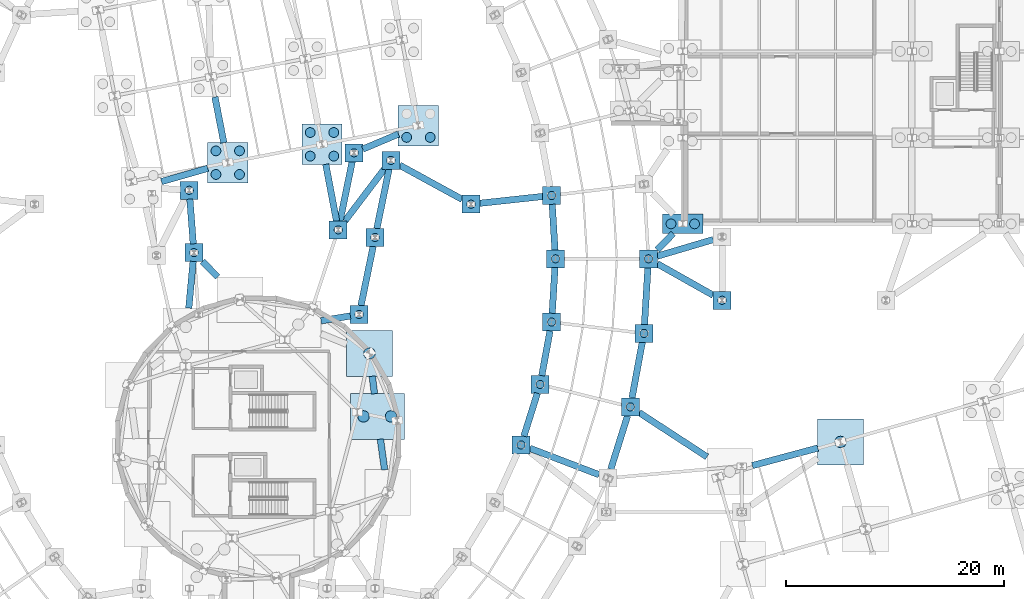
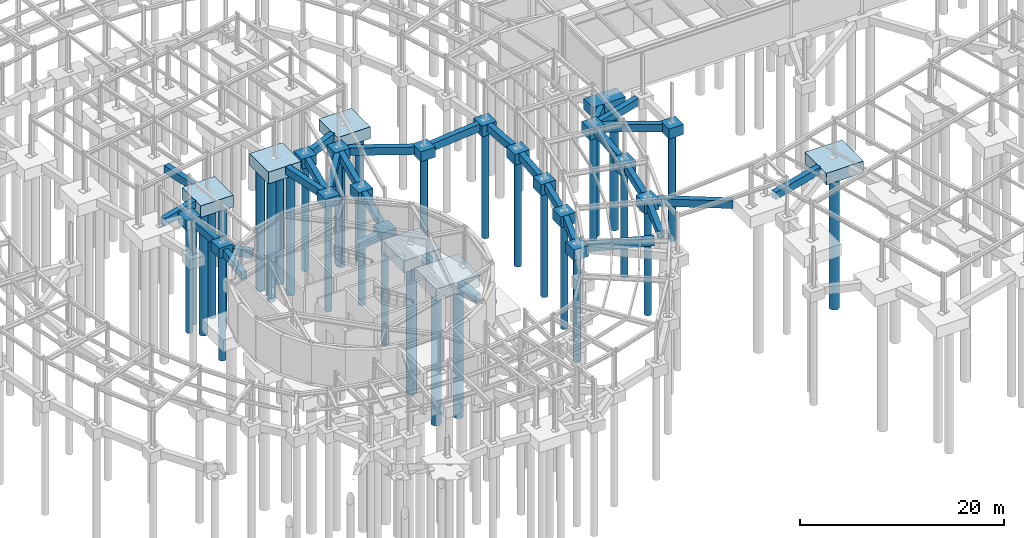
# One storey, part 5 of 50: 53 footings, 33 piles.
"""IFC4 building model written with IfcOpenShell, lengths in metres."""

from ifc_helpers import new_model, si_unit, direction, frame, origin, origin_2d, place, context, subcontext, project, spatial, rectangle, circle, extrude, material, material_profile, profile_set, type_object, element, save


model = new_model("IFC4")

# Units and contexts
model_context = context("Model", 3, precision=1e-05, world=origin(), true_north=direction((0.0, 1.0)))
body_context = subcontext(model_context, "Body", "Model", "MODEL_VIEW")
ifc_project = project(units=[si_unit("LENGTHUNIT", "METRE"), si_unit("AREAUNIT", "SQUARE_METRE"), si_unit("VOLUMEUNIT", "CUBIC_METRE"), si_unit("PLANEANGLEUNIT", "RADIAN"), si_unit("MASSUNIT", "GRAM", prefix="KILO")], contexts=[model_context])

# Site, building, storey
site_placement = place(None, origin())
site = spatial("IfcSite", under=ifc_project, at=site_placement, CompositionType="ELEMENT")
building_placement = place(site_placement, origin())
building = spatial("IfcBuilding", under=site, at=building_placement, Name="Varnklinge Art Gallery", CompositionType="ELEMENT")
storey_placement = place(building_placement, frame((0.0, 0.0, -4.800048828125)))
storey = spatial("IfcBuildingStorey", under=building, at=storey_placement, Name="B01", CompositionType="ELEMENT", Elevation=-4.800048828125)

# Footings
ifc_material_1 = material(Name="Concrete C35/45", Category="concrete")
footing_type_1 = type_object("IfcFootingType", Name="FB-11", PredefinedType="FOOTING_BEAM", material=ifc_material_1)
footing_1_placement = place(storey_placement, frame((103.568603515625, 36.424072265625, -0.89990234375), z_axis=(0.0, 0.0, 1.0), x_axis=(-0.934017558691, 0.357227098715, 0.0)))
element("IfcFooting", 1, at=footing_1_placement, inside=storey, type_object=footing_type_1, Name="B01 Ground Tie Beam FBM-093", PredefinedType="FOOTING_BEAM", context=body_context, shape_type="SweptSolid", body=[
    extrude(rectangle(XDim=6.793212890625, YDim=0.60009765625, at=origin_2d()), origin(), (0.0, 0.0, 1.0), 0.89990234375),
])
ifc_material_2 = material(Name="Concrete C35/45", Category="concrete")
footing_type_2 = type_object("IfcFootingType", Name="FB-14", PredefinedType="FOOTING_BEAM", material=ifc_material_2)
footing_2_placement = place(storey_placement, frame((100.4619140625, 40.716552734375, -0.89990234375), z_axis=(0.0, 0.0, 1.0), x_axis=(0.299873410064, 0.953979002881, 0.0)))
element("IfcFooting", 2, at=footing_2_placement, inside=storey, type_object=footing_type_2, Name="B01 Ground Tie Beam FBM-099", PredefinedType="FOOTING_BEAM", context=body_context, shape_type="SweptSolid", body=[
    extrude(rectangle(XDim=4.122802734375, YDim=0.60009765625, at=origin_2d()), origin(), (0.0, 0.0, 1.0), 0.89990234375),
])
footing_3_placement = place(storey_placement, frame((101.860595703125, 46.344482421875, -0.89990234375), z_axis=(0.0, 0.0, 1.0), x_axis=(0.181549039717, 0.983381892338, 0.0)))
element("IfcFooting", 3, at=footing_3_placement, inside=storey, type_object=footing_type_2, Name="B01 Ground Tie Beam FBM-113", PredefinedType="FOOTING_BEAM", context=body_context, shape_type="SweptSolid", body=[
    extrude(rectangle(XDim=4.17236328125, YDim=0.60009765625, at=origin_2d()), origin(), (0.0, 0.0, 1.0), 0.89990234375),
])
footing_4_placement = place(storey_placement, frame((69.339111328125, 52.618896484375, -1.199951171875), z_axis=(0.0, 0.0, 1.0), x_axis=(0.092544372783, 0.99570856131, 0.0)))
element("IfcFooting", 4, at=footing_4_placement, inside=storey, type_object=footing_type_2, Name="B01 Ground Tie Beam FBM-120", PredefinedType="FOOTING_BEAM", context=body_context, shape_type="SweptSolid", body=[
    extrude(rectangle(XDim=4.298583984375, YDim=0.60009765625, at=origin_2d()), origin(), (0.0, 0.0, 1.0), 0.89990234375),
])
for number, where, z_axis, x_axis, name in (
    (5, (102.56494140625, 52.1005859375, -0.89990234375), (0.0, 0.0, 1.0), (0.06087433122, 0.9981454382, 0.0), "B01 Ground Tie Beam FBM-122"),
    (6, (102.56494140625, 57.8994140625, -0.89990234375), (0.0, 0.0, 1.0), (-0.06087433122, 0.9981454382, 0.0), "B01 Ground Tie Beam FBM-134"),
):
    element("IfcFooting", number, at=place(storey_placement, frame(where, z_axis=z_axis, x_axis=x_axis)), inside=storey, type_object=footing_type_2, Name=name, PredefinedType="FOOTING_BEAM", context=body_context, shape_type="SweptSolid", body=[
        extrude(rectangle(XDim=4.19677734375, YDim=0.60009765625, at=origin_2d()), origin(), (0.0, 0.0, 1.0), 0.89990234375),
    ])
footing_5_placement = place(storey_placement, frame((69.3955078125, 58.41943359375, -0.89990234375), z_axis=(0.0, 0.0, 1.0), x_axis=(-0.075848906358, 0.997119322551, 0.0)))
element("IfcFooting", 7, at=footing_5_placement, inside=storey, type_object=footing_type_2, Name="B01 Ground Tie Beam FBM-138", PredefinedType="FOOTING_BEAM", context=body_context, shape_type="SweptSolid", body=[
    extrude(rectangle(XDim=4.11279296875, YDim=0.60009765625, at=origin_2d()), origin(), (0.0, 0.0, 1.0), 0.89990234375),
])
footing_6_placement = place(storey_placement, frame((71.944091796875, 67.7333984375, -0.89990234375), z_axis=(0.0, 0.0, 1.0), x_axis=(-0.190808995377, 0.981627183448, 0.0)))
element("IfcFooting", 8, at=footing_6_placement, inside=storey, type_object=footing_type_2, Name="B01 Ground Tie Beam FBM-160", PredefinedType="FOOTING_BEAM", context=body_context, shape_type="SweptSolid", body=[
    extrude(rectangle(XDim=4.271484375, YDim=0.60009765625, at=origin_2d()), origin(), (0.0, 0.0, 1.0), 0.89990234375),
])
ifc_material_3 = material(Name="Concrete C35/45", Category="concrete")
footing_type_3 = type_object("IfcFootingType", Name="FB-15", PredefinedType="FOOTING_BEAM", material=ifc_material_3)
footing_7_placement = place(storey_placement, frame((86.89111328125, 37.069091796875, -1.199951171875), z_axis=(0.0, 0.0, 1.0), x_axis=(-0.136753006543, 0.990605176244, 0.0)))
element("IfcFooting", 9, at=footing_7_placement, inside=storey, type_object=footing_type_3, Name="B01 Ground Tie Beam FBM-088", PredefinedType="FOOTING_BEAM", context=body_context, shape_type="SweptSolid", body=[
    extrude(rectangle(XDim=2.838623046875, YDim=0.60009765625, at=origin_2d()), origin(), (0.0, 0.0, 1.0), 0.89990234375),
])
footing_8_placement = place(storey_placement, frame((82.6005859375, 49.54248046875, -1.199951171875), z_axis=(0.0, 0.0, 1.0), x_axis=(-0.986600652338, -0.16315377043, 0.0)))
element("IfcFooting", 10, at=footing_8_placement, inside=storey, type_object=footing_type_3, Name="B01 Ground Tie Beam FBM-123", PredefinedType="FOOTING_BEAM", context=body_context, shape_type="SweptSolid", body=[
    extrude(rectangle(XDim=2.7275390625, YDim=0.60009765625, at=origin_2d()), origin(), (0.0, 0.0, 1.0), 0.89990234375),
])
ifc_material_4 = material(Name="Concrete C35/45", Category="concrete")
footing_type_4 = type_object("IfcFootingType", Name="FB-16", PredefinedType="FOOTING_BEAM", material=ifc_material_4)
footing_9_placement = place(storey_placement, frame((68.757568359375, 62.679443359375, -0.89990234375), z_axis=(0.0, 0.0, 1.0), x_axis=(-0.961597733011, -0.274462747688, 0.0)))
element("IfcFooting", 11, at=footing_9_placement, inside=storey, type_object=footing_type_4, Name="B01 Ground Tie Beam FBM-161", PredefinedType="FOOTING_BEAM", context=body_context, shape_type="SweptSolid", body=[
    extrude(rectangle(XDim=4.408447265625, YDim=0.60009765625, at=origin_2d()), origin(), (0.0, 0.0, 1.0), 0.89990234375),
])
ifc_material_5 = material(Name="Concrete C35/45", Category="concrete")
footing_type_5 = type_object("IfcFootingType", Name="FB-17", PredefinedType="FOOTING_BEAM", material=ifc_material_5)
footing_10_placement = place(storey_placement, frame((114.62939453125, 53.099609375, -0.89990234375), z_axis=(0.0, 0.0, 1.0), x_axis=(-0.871128118983, 0.491055801632, 0.0)))
element("IfcFooting", 12, at=footing_10_placement, inside=storey, type_object=footing_type_5, Name="B01 Ground Tie Beam FBM-267", PredefinedType="FOOTING_BEAM", context=body_context, shape_type="SweptSolid", body=[
    extrude(rectangle(XDim=5.889892578125, YDim=0.60009765625, at=origin_2d()), origin(), (0.0, 0.0, 1.0), 0.89990234375),
])
footing_11_placement = place(storey_placement, frame((98.694091796875, 60.3994140625, -0.89990234375), z_axis=(0.0, 0.0, 1.0), x_axis=(0.994207376024, 0.107478804698, 0.0)))
element("IfcFooting", 13, at=footing_11_placement, inside=storey, type_object=footing_type_5, Name="B01 Ground Tie Beam FBM-274", PredefinedType="FOOTING_BEAM", context=body_context, shape_type="SweptSolid", body=[
    extrude(rectangle(XDim=5.811767578125, YDim=0.60009765625, at=origin_2d()), origin(), (0.0, 0.0, 1.0), 0.89990234375),
])
ifc_material_6 = material(Name="Concrete C35/45", Category="concrete")
footing_type_6 = type_object("IfcFootingType", Name="FB-20", PredefinedType="FOOTING_BEAM", material=ifc_material_6)
footing_12_placement = place(storey_placement, frame((71.097412109375, 54.03955078125, -1.199951171875), z_axis=(0.0, 0.0, 1.0), x_axis=(-0.697540380788, 0.7165454746, 0.0)))
element("IfcFooting", 14, at=footing_12_placement, inside=storey, type_object=footing_type_6, Name="B01 Ground Tie Beam FBM-129", PredefinedType="FOOTING_BEAM", context=body_context, shape_type="SweptSolid", body=[
    extrude(rectangle(XDim=2.00830078125, YDim=0.60009765625, at=origin_2d()), origin(), (0.0, 0.0, 1.0), 0.89990234375),
])
ifc_material_7 = material(Name="Concrete C35/45", Category="concrete")
footing_type_7 = type_object("IfcFootingType", Name="FB-22", PredefinedType="FOOTING_BEAM", material=ifc_material_7)
footing_13_placement = place(storey_placement, frame((108.572021484375, 38.16845703125, -0.89990234375), z_axis=(0.0, 0.0, 1.0), x_axis=(0.299706904751, 0.954031326134, 0.0)))
element("IfcFooting", 15, at=footing_13_placement, inside=storey, type_object=footing_type_7, Name="B01 Ground Tie Beam FBM-092", PredefinedType="FOOTING_BEAM", context=body_context, shape_type="SweptSolid", body=[
    extrude(rectangle(XDim=5.158203125, YDim=0.60009765625, at=origin_2d()), origin(), (0.0, 0.0, 1.0), 0.89990234375),
])
footing_14_placement = place(storey_placement, frame((110.219970703125, 44.800048828125, -0.89990234375), z_axis=(0.0, 0.0, 1.0), x_axis=(0.18172066947, 0.983350191075, 0.0)))
element("IfcFooting", 16, at=footing_14_placement, inside=storey, type_object=footing_type_7, Name="B01 Ground Tie Beam FBM-107", PredefinedType="FOOTING_BEAM", context=body_context, shape_type="SweptSolid", body=[
    extrude(rectangle(XDim=5.208740234375, YDim=0.60009765625, at=origin_2d()), origin(), (0.0, 0.0, 1.0), 0.89990234375),
])
footing_15_placement = place(storey_placement, frame((111.050048828125, 51.58349609375, -0.89990234375), z_axis=(0.0, 0.0, 1.0), x_axis=(0.06070012105, 0.998156047572, 0.0)))
element("IfcFooting", 17, at=footing_15_placement, inside=storey, type_object=footing_type_7, Name="B01 Ground Tie Beam FBM-119", PredefinedType="FOOTING_BEAM", context=body_context, shape_type="SweptSolid", body=[
    extrude(rectangle(XDim=5.232666015625, YDim=0.60009765625, at=origin_2d()), origin(), (0.0, 0.0, 1.0), 0.89990234375),
])
footing_16_placement = place(storey_placement, frame((82.1845703125, 61.055908203125, -0.89990234375), z_axis=(0.0, 0.0, 1.0), x_axis=(-0.186009600639, 0.982547926806, 0.0)))
element("IfcFooting", 18, at=footing_16_placement, inside=storey, type_object=footing_type_7, Name="B01 Ground Tie Beam FBM-142", PredefinedType="FOOTING_BEAM", context=body_context, shape_type="SweptSolid", body=[
    extrude(rectangle(XDim=5.294189453125, YDim=0.60009765625, at=origin_2d()), origin(), (0.0, 0.0, 1.0), 0.89990234375),
])
ifc_material_8 = material(Name="Concrete C35/45", Category="concrete")
footing_type_8 = type_object("IfcFootingType", Name="FB-24", PredefinedType="FOOTING_BEAM", material=ifc_material_8)
footing_17_placement = place(storey_placement, frame((86.052490234375, 43.43896484375, -1.199951171875), z_axis=(0.0, 0.0, 1.0), x_axis=(-0.123081876034, 0.992396519438, 0.0)))
element("IfcFooting", 19, at=footing_17_placement, inside=storey, type_object=footing_type_8, Name="B01 Ground Tie Beam FBM-104", PredefinedType="FOOTING_BEAM", context=body_context, shape_type="SweptSolid", body=[
    extrude(rectangle(XDim=1.620361328125, YDim=0.60009765625, at=origin_2d()), origin(), (0.0, 0.0, 1.0), 0.89990234375),
])
ifc_material_9 = material(Name="Concrete C35/45", Category="concrete")
footing_type_9 = type_object("IfcFootingType", Name="FB-29", PredefinedType="FOOTING_BEAM", material=ifc_material_9)
footing_18_placement = place(storey_placement, frame((86.718017578125, 65.739013671875, -0.89990234375), z_axis=(0.0, 0.0, 1.0), x_axis=(0.920981534477, 0.389606228328, 0.0)))
element("IfcFooting", 20, at=footing_18_placement, inside=storey, type_object=footing_type_9, Name="B01 Ground Tie Beam FBM-163", PredefinedType="FOOTING_BEAM", context=body_context, shape_type="SweptSolid", body=[
    extrude(rectangle(XDim=3.544189453125, YDim=0.60009765625, at=origin_2d()), origin(), (0.0, 0.0, 1.0), 0.89990234375),
])
ifc_material_10 = material(Name="Concrete C35/45", Category="concrete")
footing_type_10 = type_object("IfcFootingType", Name="FB-32", PredefinedType="FOOTING_BEAM", material=ifc_material_10)
footing_19_placement = place(storey_placement, frame((112.792236328125, 56.5625, -0.89990234375), z_axis=(0.0, 0.0, 1.0), x_axis=(0.700660250228, 0.713495069184, 0.0)))
element("IfcFooting", 21, at=footing_19_placement, inside=storey, type_object=footing_type_10, Name="B01 Ground Tie Beam FBM-135", PredefinedType="FOOTING_BEAM", context=body_context, shape_type="SweptSolid", body=[
    extrude(rectangle(XDim=2.123291015625, YDim=0.60009765625, at=origin_2d()), origin(), (0.0, 0.0, 1.0), 0.89990234375),
])
ifc_material_11 = material(Name="Concrete C35/45", Category="concrete")
footing_type_11 = type_object("IfcFootingType", Name="FB-35", PredefinedType="FOOTING_BEAM", material=ifc_material_11)
footing_20_placement = place(storey_placement, frame((85.241455078125, 60.83203125, -0.89990234375), z_axis=(0.0, 0.0, 1.0), x_axis=(-0.604181969914, -0.796846376179, 0.0)))
element("IfcFooting", 22, at=footing_20_placement, inside=storey, type_object=footing_type_11, Name="B01 Ground Tie Beam FBM-162", PredefinedType="FOOTING_BEAM", context=body_context, shape_type="SweptSolid", body=[
    extrude(rectangle(XDim=5.9658203125, YDim=0.60009765625, at=origin_2d()), origin(), (0.0, 0.0, 1.0), 0.89990234375),
])
ifc_material_12 = material(Name="Concrete C35/45", Category="concrete")
footing_type_12 = type_object("IfcFootingType", Name="FB-36", PredefinedType="FOOTING_BEAM", material=ifc_material_12)
footing_21_placement = place(storey_placement, frame((123.778076171875, 36.857421875, -0.89990234375), z_axis=(0.0, 0.0, 1.0), x_axis=(0.965880639132, 0.25898762702, 0.0)))
element("IfcFooting", 23, at=footing_21_placement, inside=storey, type_object=footing_type_12, Name="B01 Ground Tie Beam FBM-094", PredefinedType="FOOTING_BEAM", context=body_context, shape_type="SweptSolid", body=[
    extrude(rectangle(XDim=6.201416015625, YDim=0.60009765625, at=origin_2d()), origin(), (0.0, 0.0, 1.0), 0.89990234375),
])
ifc_material_13 = material(Name="Concrete C35/45", Category="concrete")
footing_type_13 = type_object("IfcFootingType", Name="FB-37", PredefinedType="FOOTING_BEAM", material=ifc_material_13)
footing_22_placement = place(storey_placement, frame((113.512939453125, 38.881103515625, -0.89990234375), z_axis=(0.0, 0.0, 1.0), x_axis=(-0.837623391089, 0.546248162194, 0.0)))
element("IfcFooting", 24, at=footing_22_placement, inside=storey, type_object=footing_type_13, Name="B01 Ground Tie Beam FBM-095", PredefinedType="FOOTING_BEAM", context=body_context, shape_type="SweptSolid", body=[
    extrude(rectangle(XDim=7.425537109375, YDim=0.60009765625, at=origin_2d()), origin(), (0.0, 0.0, 1.0), 0.89990234375),
])
ifc_material_14 = material(Name="Concrete C35/45", Category="concrete")
footing_type_14 = type_object("IfcFootingType", Name="FB-40", PredefinedType="FOOTING_BEAM", material=ifc_material_14)
for number, where, z_axis, x_axis, name in (
    (25, (85.47705078125, 53.427001953125, -0.89990234375), (0.0, 0.0, 1.0), (0.201419845156, 0.979505000486, 0.0), "B01 Ground Tie Beam FBM-124"),
    (26, (86.928466796875, 60.485107421875, -0.89990234375), (0.0, 0.0, 1.0), (0.201419845156, 0.979505000486, 0.0), "B01 Ground Tie Beam FBM-139"),
    (27, (83.554931640625, 61.178955078125, -0.89990234375), (0.0, 0.0, 1.0), (0.201419845156, 0.979505000486, 0.0), "B01 Ground Tie Beam FBM-141"),
):
    element("IfcFooting", number, at=place(storey_placement, frame(where, z_axis=z_axis, x_axis=x_axis)), inside=storey, type_object=footing_type_14, Name=name, PredefinedType="FOOTING_BEAM", context=body_context, shape_type="SweptSolid", body=[
        extrude(rectangle(XDim=5.56201171875, YDim=0.60009765625, at=origin_2d()), origin(), (0.0, 0.0, 1.0), 0.89990234375),
    ])
ifc_material_15 = material(Name="Concrete C35/45", Category="concrete")
footing_type_15 = type_object("IfcFootingType", Name="FB-43", PredefinedType="FOOTING_BEAM", material=ifc_material_15)
footing_23_placement = place(storey_placement, frame((91.326904296875, 62.007080078125, -0.89990234375), z_axis=(0.0, 0.0, 1.0), x_axis=(-0.877564903719, 0.479457860256, 0.0)))
element("IfcFooting", 28, at=footing_23_placement, inside=storey, type_object=footing_type_15, Name="B01 Ground Tie Beam FBM-275", PredefinedType="FOOTING_BEAM", context=body_context, shape_type="SweptSolid", body=[
    extrude(rectangle(XDim=6.53662109375, YDim=0.60009765625, at=origin_2d()), origin(), (0.0, 0.0, 1.0), 0.89990234375),
])
ifc_material_16 = material(Name="Concrete C35/45", Category="concrete")
footing_type_16 = type_object("IfcFootingType", Name="FB-45", PredefinedType="FOOTING_BEAM", material=ifc_material_16)
footing_24_placement = place(storey_placement, frame((114.62939453125, 56.0, -0.89990234375), z_axis=(0.0, 0.0, 1.0), x_axis=(-0.958720536398, -0.28435001862, 0.0)))
element("IfcFooting", 29, at=footing_24_placement, inside=storey, type_object=footing_type_16, Name="B01 Ground Tie Beam FBM-271", PredefinedType="FOOTING_BEAM", context=body_context, shape_type="SweptSolid", body=[
    extrude(rectangle(XDim=5.35205078125, YDim=0.60009765625, at=origin_2d()), origin(), (0.0, 0.0, 1.0), 0.89990234375),
])
ifc_material_17 = material(Name="Concrete C35/45", Category="concrete")
footing_type_17 = type_object("IfcFootingType", Name="PC-01", PredefinedType="PILE_CAP", material=ifc_material_17)
for number, where, z_axis, x_axis, name in (
    (30, (99.591064453125, 37.945068359375, -1.2998046875), (0.0, 0.0, 1.0), (1.0, 0.0, 0.0), "B01 Pile Cap FCAP-074"),
    (31, (109.597900390625, 41.43408203125, -1.2998046875), (0.0, 0.0, 1.0), (1.0, 0.0, 0.0), "B01 Pile Cap FCAP-081"),
    (32, (101.3330078125, 43.488037109375, -1.2998046875), (0.0, 0.0, 1.0), (1.0, 0.0, 0.0), "B01 Pile Cap FCAP-086"),
):
    element("IfcFooting", number, at=place(storey_placement, frame(where, z_axis=z_axis, x_axis=x_axis)), inside=storey, type_object=footing_type_17, Name=name, PredefinedType="PILE_CAP", context=body_context, shape_type="SweptSolid", body=[
        extrude(rectangle(XDim=1.64990234375, YDim=1.64990234375, at=origin_2d()), origin(), (0.0, 0.0, 1.0), 1.300048828125),
    ])
footing_25_placement = place(storey_placement, frame((110.842041015625, 48.166015625, -1.2998046875), z_axis=(0.0, 0.0, 1.0), x_axis=(1.0, 0.0, 0.0)))
element("IfcFooting", 33, at=footing_25_placement, inside=storey, type_object=footing_type_17, Name="B01 Pile Cap FCAP-092", PredefinedType="PILE_CAP", context=body_context, shape_type="SweptSolid", body=[
    extrude(rectangle(XDim=1.64990234375, YDim=1.65087890625, at=origin_2d()), origin(), (0.0, 0.0, 1.0), 1.300048828125),
])
footing_26_placement = place(storey_placement, frame((102.387939453125, 49.200927734375, -1.2998046875), z_axis=(0.0, 0.0, 1.0), x_axis=(1.0, 0.0, 0.0)))
element("IfcFooting", 34, at=footing_26_placement, inside=storey, type_object=footing_type_17, Name="B01 Pile Cap FCAP-095", PredefinedType="PILE_CAP", context=body_context, shape_type="SweptSolid", body=[
    extrude(rectangle(XDim=1.64990234375, YDim=1.64990234375, at=origin_2d()), origin(), (0.0, 0.0, 1.0), 1.300048828125),
])
for number, where, z_axis, x_axis, name in (
    (35, (102.741943359375, 55.0, -1.2998046875), (0.0, 0.0, 1.0), (1.0, 0.0, 0.0), "B01 Pile Cap FCAP-105"),
    (36, (111.258056640625, 55.0, -1.2998046875), (0.0, 0.0, 1.0), (1.0, 0.0, 0.0), "B01 Pile Cap FCAP-106"),
):
    element("IfcFooting", number, at=place(storey_placement, frame(where, z_axis=z_axis, x_axis=x_axis)), inside=storey, type_object=footing_type_17, Name=name, PredefinedType="PILE_CAP", context=body_context, shape_type="SweptSolid", body=[
        extrude(rectangle(XDim=1.65087890625, YDim=1.64990234375, at=origin_2d()), origin(), (0.0, 0.0, 1.0), 1.300048828125),
    ])
footing_27_placement = place(storey_placement, frame((102.387939453125, 60.799072265625, -1.2998046875), z_axis=(0.0, 0.0, 1.0), x_axis=(1.0, 0.0, 0.0)))
element("IfcFooting", 37, at=footing_27_placement, inside=storey, type_object=footing_type_17, Name="B01 Pile Cap FCAP-119", PredefinedType="PILE_CAP", context=body_context, shape_type="SweptSolid", body=[
    extrude(rectangle(XDim=1.64990234375, YDim=1.64990234375, at=origin_2d()), origin(), (0.0, 0.0, 1.0), 1.300048828125),
])
ifc_material_18 = material(Name="Concrete C35/45", Category="concrete")
footing_type_18 = type_object("IfcFootingType", Name="PC-02", PredefinedType="PILE_CAP", material=ifc_material_18)
for number, where, z_axis, x_axis, name in (
    (38, (72.70703125, 63.806884765625, -1.39990234375), (0.0, 0.0, 1.0), (1.0, 0.0, 0.0), "B01 Pile Cap FCAP-125"),
    (39, (81.345947265625, 65.487060546875, -1.39990234375), (0.0, 0.0, 1.0), (1.0, 0.0, 0.0), "B01 Pile Cap FCAP-129"),
    (40, (90.179931640625, 67.2041015625, -1.39990234375), (0.0, 0.0, 1.0), (1.0, 0.0, 0.0), "B01 Pile Cap FCAP-137"),
):
    element("IfcFooting", number, at=place(storey_placement, frame(where, z_axis=z_axis, x_axis=x_axis)), inside=storey, type_object=footing_type_18, Name=name, PredefinedType="PILE_CAP", context=body_context, shape_type="SweptSolid", body=[
        extrude(rectangle(XDim=3.699951171875, YDim=3.699951171875, at=origin_2d()), origin(), (0.0, 0.0, 1.0), 1.39990234375),
    ])
ifc_material_19 = material(Name="Concrete C35/45", Category="concrete")
footing_type_19 = type_object("IfcFootingType", Name="PC-03", PredefinedType="PILE_CAP", material=ifc_material_19)
for number, where, z_axis, x_axis, name in (
    (41, (84.7509765625, 49.89794921875, -1.19970703125), (0.0, 0.0, 1.0), (1.0, 0.0, 0.0), "B01 Pile Cap FCAP-096"),
    (42, (69.613037109375, 55.56396484375, -1.19970703125), (0.0, 0.0, 1.0), (1.0, 0.0, 0.0), "B01 Pile Cap FCAP-108"),
    (43, (86.202880859375, 56.9560546875, -1.19970703125), (0.0, 0.0, 1.0), (1.0, 0.0, 0.0), "B01 Pile Cap FCAP-109"),
    (44, (82.8291015625, 57.64990234375, -1.19970703125), (0.0, 0.0, 1.0), (1.0, 0.0, 0.0), "B01 Pile Cap FCAP-111"),
):
    element("IfcFooting", number, at=place(storey_placement, frame(where, z_axis=z_axis, x_axis=x_axis)), inside=storey, type_object=footing_type_19, Name=name, PredefinedType="PILE_CAP", context=body_context, shape_type="SweptSolid", body=[
        extrude(rectangle(XDim=1.64990234375, YDim=1.64990234375, at=origin_2d()), origin(), (0.0, 0.0, 1.0), 1.199951171875),
    ])
footing_28_placement = place(storey_placement, frame((69.177978515625, 61.27587890625, -1.19970703125), z_axis=(0.0, 0.0, 1.0), x_axis=(1.0, 0.0, 0.0)))
element("IfcFooting", 45, at=footing_28_placement, inside=storey, type_object=footing_type_19, Name="B01 Pile Cap FCAP-120", PredefinedType="PILE_CAP", context=body_context, shape_type="SweptSolid", body=[
    extrude(rectangle(XDim=1.64990234375, YDim=1.65087890625, at=origin_2d()), origin(), (0.0, 0.0, 1.0), 1.199951171875),
])
for number, where, z_axis, x_axis, name in (
    (46, (87.654052734375, 64.013916015625, -1.19970703125), (0.0, 0.0, 1.0), (1.0, 0.0, 0.0), "B01 Pile Cap FCAP-126"),
    (47, (84.281005859375, 64.7080078125, -1.19970703125), (0.0, 0.0, 1.0), (1.0, 0.0, 0.0), "B01 Pile Cap FCAP-127"),
    (48, (118.0, 51.199951171875, -1.19970703125), (0.0, 0.0, 1.0), (1.0, 0.0, 0.0), "B01 Pile Cap FCAP-228"),
    (49, (95.0, 60.0, -1.19970703125), (0.0, 0.0, 1.0), (1.0, 0.0, 0.0), "B01 Pile Cap FCAP-234"),
):
    element("IfcFooting", number, at=place(storey_placement, frame(where, z_axis=z_axis, x_axis=x_axis)), inside=storey, type_object=footing_type_19, Name=name, PredefinedType="PILE_CAP", context=body_context, shape_type="SweptSolid", body=[
        extrude(rectangle(XDim=1.64990234375, YDim=1.64990234375, at=origin_2d()), origin(), (0.0, 0.0, 1.0), 1.199951171875),
    ])
ifc_material_20 = material(Name="Concrete C35/45", Category="concrete")
footing_type_20 = type_object("IfcFootingType", Name="PC-05", PredefinedType="PILE_CAP", material=ifc_material_20)
for number, where, z_axis, x_axis, name in (
    (50, (128.85302734375, 38.218017578125, -1.39990234375), (0.0, 0.0, 1.0), (1.0, 0.0, 0.0), "B01 Pile Cap FCAP-076"),
    (51, (85.695068359375, 46.322998046875, -1.699951171875), (0.0, 0.0, 1.0), (1.0, 0.0, 0.0), "B01 Pile Cap FCAP-089"),
):
    element("IfcFooting", number, at=place(storey_placement, frame(where, z_axis=z_axis, x_axis=x_axis)), inside=storey, type_object=footing_type_20, Name=name, PredefinedType="PILE_CAP", context=body_context, shape_type="SweptSolid", body=[
        extrude(rectangle(XDim=4.199951171875, YDim=4.199951171875, at=origin_2d()), origin(), (0.0, 0.0, 1.0), 1.39990234375),
    ])
ifc_material_21 = material(Name="Concrete C35/45", Category="concrete")
footing_type_21 = type_object("IfcFootingType", Name="PC-06", PredefinedType="PILE_CAP", material=ifc_material_21)
footing_29_placement = place(storey_placement, frame((114.39990234375, 58.199951171875, -1.2998046875), z_axis=(0.0, 0.0, 1.0), x_axis=(1.0, 0.0, 0.0)))
element("IfcFooting", 52, at=footing_29_placement, inside=storey, type_object=footing_type_21, Name="B01 Pile Cap FCAP-112", PredefinedType="PILE_CAP", context=body_context, shape_type="SweptSolid", body=[
    extrude(rectangle(XDim=3.699951171875, YDim=1.800048828125, at=origin_2d()), origin(), (0.0, 0.0, 1.0), 1.300048828125),
])
ifc_material_22 = material(Name="Concrete C35/45", Category="concrete")
footing_type_22 = type_object("IfcFootingType", Name="PC-09", PredefinedType="PILE_CAP", material=ifc_material_22)
footing_30_placement = place(storey_placement, frame((86.409912109375, 40.554931640625, -1.699951171875), z_axis=(0.0, 0.0, 1.0), x_axis=(1.0, 0.0, 0.0)))
element("IfcFooting", 53, at=footing_30_placement, inside=storey, type_object=footing_type_22, Name="B01 Pile Cap FCAP-078", PredefinedType="PILE_CAP", context=body_context, shape_type="SweptSolid", body=[
    extrude(rectangle(XDim=4.949951171875, YDim=4.199951171875, at=origin_2d()), origin(), (0.0, 0.0, 1.0), 1.39990234375),
])

# Piles
ifc_material_23 = material(Name="Concrete C35/45", Category="concrete")
ifc_material_profile_1 = material_profile(ifc_material_23, circle(Radius=0.52490234375, at=origin_2d()), Name="PILE D1050")
ifc_profile_set_1 = profile_set([ifc_material_profile_1], Name="Concrete C35/45")
pile_type_1 = type_object("IfcPileType", Name="PIL-D1050", PredefinedType="BORED", material=ifc_profile_set_1)
pile_1_placement = place(storey_placement, frame((128.85302734375, 38.218017578125, -1.300048828125), z_axis=(0.0, 0.0, -1.0), x_axis=(1.0, 0.0, 0.0)))
element("IfcPile", 54, at=pile_1_placement, inside=storey, type_object=pile_type_1, Name="B01 Bored Pile PILE-D1050-108", PredefinedType="BORED", context=body_context, shape_type="SweptSolid", body=[
    extrude(circle(Radius=0.52490234375, at=origin_2d()), origin(), (0.0, 0.0, 1.0), 16.699951171875),
])
for number, where, z_axis, x_axis, name in (
    (55, (85.14990234375, 40.554931640625, -1.599853515625), (0.0, 0.0, -1.0), (1.0, 0.0, 0.0), "B01 Bored Pile PILE-D1050-113"),
    (56, (87.669921875, 40.554931640625, -1.599853515625), (0.0, 0.0, -1.0), (1.0, 0.0, 0.0), "B01 Bored Pile PILE-D1050-114"),
    (57, (85.695068359375, 46.322998046875, -1.599853515625), (0.0, 0.0, -1.0), (1.0, 0.0, 0.0), "B01 Bored Pile PILE-D1050-138"),
):
    element("IfcPile", number, at=place(storey_placement, frame(where, z_axis=z_axis, x_axis=x_axis)), inside=storey, type_object=pile_type_1, Name=name, PredefinedType="BORED", context=body_context, shape_type="SweptSolid", body=[
        extrude(circle(Radius=0.52490234375, at=origin_2d()), origin(), (0.0, 0.0, 1.0), 16.39990234375),
    ])
ifc_material_24 = material(Name="Concrete C35/45", Category="concrete")
ifc_material_profile_2 = material_profile(ifc_material_24, circle(Radius=0.375, at=origin_2d()), Name="PILE D750")
ifc_profile_set_2 = profile_set([ifc_material_profile_2], Name="Concrete C35/45")
pile_type_2 = type_object("IfcPileType", Name="PIL-D750", PredefinedType="BORED", material=ifc_profile_set_2)
for number, where, z_axis, x_axis, name in (
    (58, (99.591064453125, 37.945068359375, -1.199951171875), (0.0, 0.0, -1.0), (1.0, 0.0, 0.0), "B01 Bored Pile PILE-D750-103"),
    (59, (109.597900390625, 41.43408203125, -1.199951171875), (0.0, 0.0, -1.0), (1.0, 0.0, 0.0), "B01 Bored Pile PILE-D750-120"),
    (60, (101.3330078125, 43.488037109375, -1.199951171875), (0.0, 0.0, -1.0), (1.0, 0.0, 0.0), "B01 Bored Pile PILE-D750-131"),
    (61, (110.842041015625, 48.166015625, -1.199951171875), (0.0, 0.0, -1.0), (1.0, 0.0, 0.0), "B01 Bored Pile PILE-D750-144"),
    (62, (102.387939453125, 49.200927734375, -1.199951171875), (0.0, 0.0, -1.0), (1.0, 0.0, 0.0), "B01 Bored Pile PILE-D750-148"),
):
    element("IfcPile", number, at=place(storey_placement, frame(where, z_axis=z_axis, x_axis=x_axis)), inside=storey, type_object=pile_type_2, Name=name, PredefinedType="BORED", context=body_context, shape_type="SweptSolid", body=[
        extrude(circle(Radius=0.375, at=origin_2d()), origin(), (0.0, 0.0, 1.0), 12.800048828125),
    ])
pile_2_placement = place(storey_placement, frame((84.7509765625, 49.89794921875, -1.099853515625), z_axis=(0.0, 0.0, -1.0), x_axis=(1.0, 0.0, 0.0)))
element("IfcPile", 63, at=pile_2_placement, inside=storey, type_object=pile_type_2, Name="B01 Bored Pile PILE-D750-149", PredefinedType="BORED", context=body_context, shape_type="SweptSolid", body=[
    extrude(circle(Radius=0.375, at=origin_2d()), origin(), (0.0, 0.0, 1.0), 12.89990234375),
])
for number, where, z_axis, x_axis, name in (
    (64, (102.741943359375, 55.0, -1.199951171875), (0.0, 0.0, -1.0), (1.0, 0.0, 0.0), "B01 Bored Pile PILE-D750-167"),
    (65, (111.258056640625, 55.0, -1.199951171875), (0.0, 0.0, -1.0), (1.0, 0.0, 0.0), "B01 Bored Pile PILE-D750-168"),
):
    element("IfcPile", number, at=place(storey_placement, frame(where, z_axis=z_axis, x_axis=x_axis)), inside=storey, type_object=pile_type_2, Name=name, PredefinedType="BORED", context=body_context, shape_type="SweptSolid", body=[
        extrude(circle(Radius=0.375, at=origin_2d()), origin(), (0.0, 0.0, 1.0), 12.800048828125),
    ])
for number, where, z_axis, x_axis, name in (
    (66, (69.613037109375, 55.56396484375, -1.099853515625), (0.0, 0.0, -1.0), (1.0, 0.0, 0.0), "B01 Bored Pile PILE-D750-170"),
    (67, (86.202880859375, 56.9560546875, -1.099853515625), (0.0, 0.0, -1.0), (1.0, 0.0, 0.0), "B01 Bored Pile PILE-D750-171"),
    (68, (82.8291015625, 57.64990234375, -1.099853515625), (0.0, 0.0, -1.0), (1.0, 0.0, 0.0), "B01 Bored Pile PILE-D750-176"),
):
    element("IfcPile", number, at=place(storey_placement, frame(where, z_axis=z_axis, x_axis=x_axis)), inside=storey, type_object=pile_type_2, Name=name, PredefinedType="BORED", context=body_context, shape_type="SweptSolid", body=[
        extrude(circle(Radius=0.375, at=origin_2d()), origin(), (0.0, 0.0, 1.0), 12.89990234375),
    ])
pile_3_placement = place(storey_placement, frame((102.387939453125, 60.799072265625, -1.199951171875), z_axis=(0.0, 0.0, -1.0), x_axis=(1.0, 0.0, 0.0)))
element("IfcPile", 69, at=pile_3_placement, inside=storey, type_object=pile_type_2, Name="B01 Bored Pile PILE-D750-196", PredefinedType="BORED", context=body_context, shape_type="SweptSolid", body=[
    extrude(circle(Radius=0.375, at=origin_2d()), origin(), (0.0, 0.0, 1.0), 12.800048828125),
])
for number, where, z_axis, x_axis, name in (
    (70, (69.177978515625, 61.27587890625, -1.099853515625), (0.0, 0.0, -1.0), (1.0, 0.0, 0.0), "B01 Bored Pile PILE-D750-197"),
    (71, (87.654052734375, 64.013916015625, -1.099853515625), (0.0, 0.0, -1.0), (1.0, 0.0, 0.0), "B01 Bored Pile PILE-D750-212"),
    (72, (84.281005859375, 64.7080078125, -1.099853515625), (0.0, 0.0, -1.0), (1.0, 0.0, 0.0), "B01 Bored Pile PILE-D750-213"),
    (73, (118.0, 51.199951171875, -1.099853515625), (0.0, 0.0, -1.0), (1.0, 0.0, 0.0), "B01 Bored Pile PILE-D750-405"),
    (74, (95.0, 60.0, -1.099853515625), (0.0, 0.0, -1.0), (1.0, 0.0, 0.0), "B01 Bored Pile PILE-D750-411"),
):
    element("IfcPile", number, at=place(storey_placement, frame(where, z_axis=z_axis, x_axis=x_axis)), inside=storey, type_object=pile_type_2, Name=name, PredefinedType="BORED", context=body_context, shape_type="SweptSolid", body=[
        extrude(circle(Radius=0.375, at=origin_2d()), origin(), (0.0, 0.0, 1.0), 12.89990234375),
    ])
ifc_material_25 = material(Name="Concrete C35/45", Category="concrete")
ifc_material_profile_3 = material_profile(ifc_material_25, circle(Radius=0.449951171875, at=origin_2d()), Name="PILE D900")
ifc_profile_set_3 = profile_set([ifc_material_profile_3], Name="Concrete C35/45")
pile_type_3 = type_object("IfcPileType", Name="PIL-D900", PredefinedType="BORED", material=ifc_profile_set_3)
for number, where, z_axis, x_axis, name in (
    (75, (113.320068359375, 58.199951171875, -1.199951171875), (0.0, 0.0, -1.0), (1.0, 0.0, 0.0), "B01 Bored Pile PILE-D900-177"),
    (76, (115.47998046875, 58.199951171875, -1.199951171875), (0.0, 0.0, -1.0), (1.0, 0.0, 0.0), "B01 Bored Pile PILE-D900-178"),
):
    element("IfcPile", number, at=place(storey_placement, frame(where, z_axis=z_axis, x_axis=x_axis)), inside=storey, type_object=pile_type_3, Name=name, PredefinedType="BORED", context=body_context, shape_type="SweptSolid", body=[
        extrude(circle(Radius=0.449951171875, at=origin_2d()), origin(), (0.0, 0.0, 1.0), 14.800048828125),
    ])
for number, where, z_axis, x_axis, name in (
    (77, (71.626953125, 62.72705078125, -1.300048828125), (0.0, 0.0, -1.0), (1.0, 0.0, 0.0), "B01 Bored Pile PILE-D900-208"),
    (78, (71.626953125, 64.886962890625, -1.300048828125), (0.0, 0.0, -1.0), (1.0, 0.0, 0.0), "B01 Bored Pile PILE-D900-209"),
    (79, (73.787109375, 62.72705078125, -1.300048828125), (0.0, 0.0, -1.0), (1.0, 0.0, 0.0), "B01 Bored Pile PILE-D900-210"),
    (80, (73.787109375, 64.886962890625, -1.300048828125), (0.0, 0.0, -1.0), (1.0, 0.0, 0.0), "B01 Bored Pile PILE-D900-211"),
    (81, (80.26611328125, 64.406982421875, -1.300048828125), (0.0, 0.0, -1.0), (1.0, 0.0, 0.0), "B01 Bored Pile PILE-D900-218"),
    (82, (80.26611328125, 66.56689453125, -1.300048828125), (0.0, 0.0, -1.0), (1.0, 0.0, 0.0), "B01 Bored Pile PILE-D900-219"),
    (83, (82.426025390625, 64.406982421875, -1.300048828125), (0.0, 0.0, -1.0), (1.0, 0.0, 0.0), "B01 Bored Pile PILE-D900-220"),
    (84, (82.426025390625, 66.56689453125, -1.300048828125), (0.0, 0.0, -1.0), (1.0, 0.0, 0.0), "B01 Bored Pile PILE-D900-221"),
    (85, (89.10009765625, 66.1240234375, -1.300048828125), (0.0, 0.0, -1.0), (1.0, 0.0, 0.0), "B01 Bored Pile PILE-D900-238"),
    (86, (91.260009765625, 66.1240234375, -1.300048828125), (0.0, 0.0, -1.0), (1.0, 0.0, 0.0), "B01 Bored Pile PILE-D900-240"),
):
    element("IfcPile", number, at=place(storey_placement, frame(where, z_axis=z_axis, x_axis=x_axis)), inside=storey, type_object=pile_type_3, Name=name, PredefinedType="BORED", context=body_context, shape_type="SweptSolid", body=[
        extrude(circle(Radius=0.449951171875, at=origin_2d()), origin(), (0.0, 0.0, 1.0), 14.699951171875),
    ])

save(model, "model.ifc")
